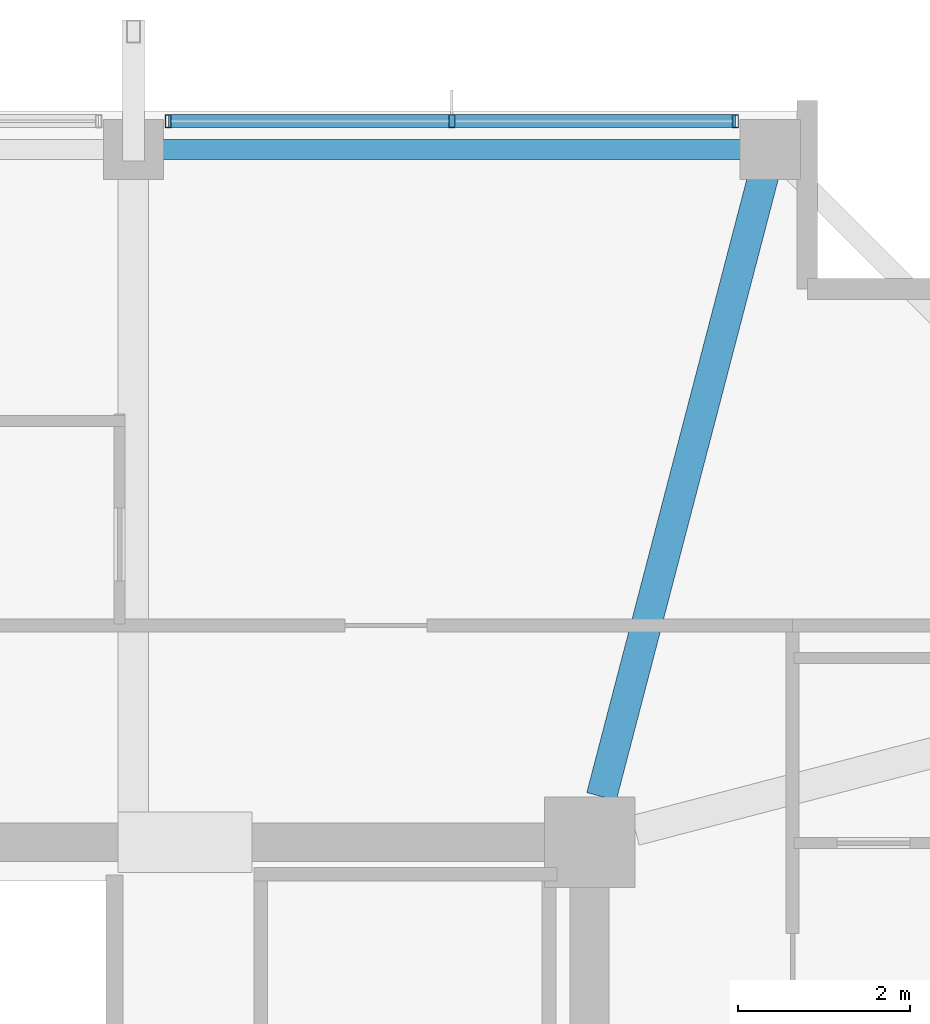
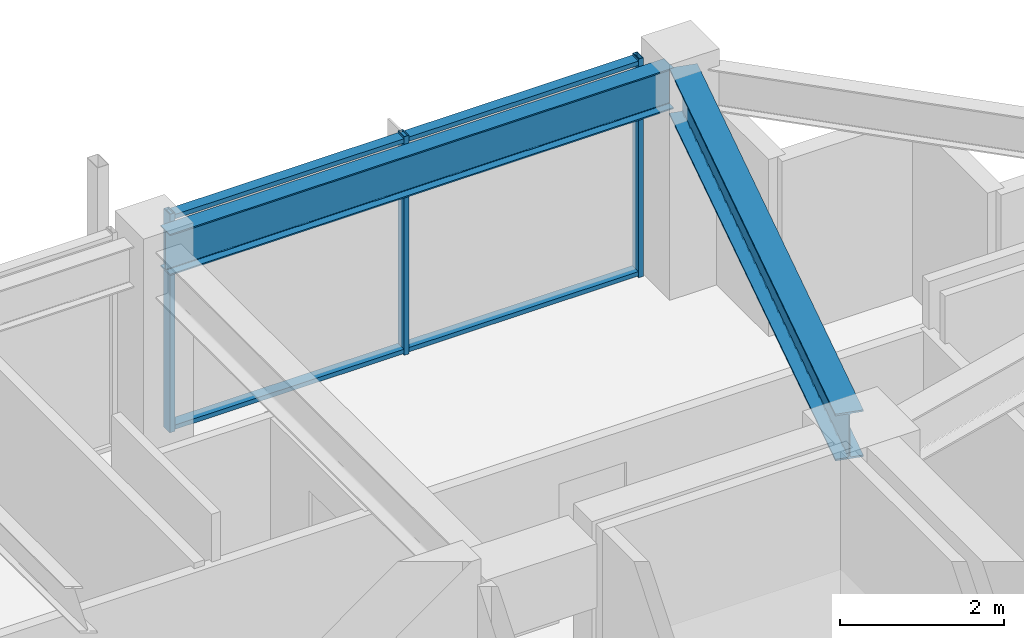
# One storey, part 17 of 29: 5 members, 2 beams, 1 element without a shape of its own.
"""IFC4 building model written with IfcOpenShell, lengths in metres."""

from ifc_helpers import new_model, si_unit, direction, frame, origin, origin_2d, place, context, subcontext, project, spatial, hollow_rectangle, i_section, extrude, material, material_profile, profile_set, type_object, element, aggregate, save


model = new_model("IFC4")

# Units and contexts
model_context = context("Model", 3, precision=1e-05, world=origin(), true_north=direction((0.0, 1.0)))
body_context = subcontext(model_context, "Body", "Model", "MODEL_VIEW")
ifc_project = project(units=[si_unit("LENGTHUNIT", "METRE"), si_unit("AREAUNIT", "SQUARE_METRE"), si_unit("VOLUMEUNIT", "CUBIC_METRE"), si_unit("PLANEANGLEUNIT", "RADIAN"), si_unit("MASSUNIT", "GRAM", prefix="KILO")], contexts=[model_context])

# Site, building, storey
site_placement = place(None, origin())
site = spatial("IfcSite", under=ifc_project, at=site_placement, CompositionType="ELEMENT")
building_placement = place(site_placement, origin())
building = spatial("IfcBuilding", under=site, at=building_placement, Name="Kolvaren Belvedere", CompositionType="ELEMENT")
storey_placement = place(building_placement, frame((0.0, 0.0, 244.39990234375)))
storey = spatial("IfcBuildingStorey", under=building, at=storey_placement, Name="L71", CompositionType="ELEMENT", Elevation=244.39990234375)

# Beams
ifc_material_1 = material(Name="Structural steel ASTM A992 Grade 50", Category="steel")
ifc_material_profile_1 = material_profile(ifc_material_1, i_section(OverallWidth=0.35498046875, OverallDepth=0.696044921875, WebThickness=0.015380859375, FlangeThickness=0.02490234375, FilletRadius=0.02197265625, at=origin_2d()), Name="W27X146")
ifc_profile_set_1 = profile_set([ifc_material_profile_1], Name="Structural steel ASTM A992 Grade 50")
beam_type_1 = type_object("IfcBeamType", Name="BM-GIRD-W27X146", PredefinedType="BEAM", material=ifc_profile_set_1)
beam_1_placement = place(storey_placement, frame((10.038818359375, 10.43212890625, 2.902099609375), z_axis=(0.25241668651, 0.967618631679, 0.0), x_axis=(-0.967618631679, 0.25241668651, 0.0)))
element("IfcBeam", 1, at=beam_1_placement, inside=storey, type_object=beam_type_1, Name="L71 Corner Core-to-Perimeter Girder CC3-N4", PredefinedType="BEAM", context=body_context, shape_type="SweptSolid", body=[
    extrude(i_section(OverallWidth=0.35498046875, OverallDepth=0.696044921875, WebThickness=0.015380859375, FlangeThickness=0.02490234375, FilletRadius=0.02197265625, at=origin_2d()), origin(), (0.0, 0.0, 1.0), 7.62939453125),
])
ifc_material_2 = material(Name="Structural steel ASTM A992 Grade 50", Category="steel")
ifc_material_profile_2 = material_profile(ifc_material_2, i_section(OverallWidth=0.22900390625, OverallDepth=0.612060546875, WebThickness=0.011962890625, FlangeThickness=0.01953125, FilletRadius=0.01806640625, at=origin_2d()), Name="W24X84")
ifc_profile_set_2 = profile_set([ifc_material_profile_2], Name="Structural steel ASTM A992 Grade 50")
beam_type_2 = type_object("IfcBeamType", Name="BM-SPAN-W24X84", PredefinedType="SPANDREL", material=ifc_profile_set_2)
beam_2_placement = place(storey_placement, frame((11.842529296875, 17.949951171875, 2.944091796875), z_axis=(-1.0, 0.0, 0.0), x_axis=(0.0, -1.0, 0.0)))
element("IfcBeam", 2, at=beam_2_placement, inside=storey, type_object=beam_type_2, Name="L71 Perimeter Spandrel N4-N3", PredefinedType="SPANDREL", context=body_context, shape_type="SweptSolid", body=[
    extrude(i_section(OverallWidth=0.22900390625, OverallDepth=0.612060546875, WebThickness=0.011962890625, FlangeThickness=0.01953125, FilletRadius=0.01806640625, at=origin_2d()), origin(), (0.0, 0.0, 1.0), 7.0849609375),
])

# Curtain wall, members
ifc_material_3 = material(Name="Anodised pale-metal aluminium AA 6063-T6", Category="aluminium")
curtain_wall_type = type_object("IfcCurtainWallType", Name="CW-Z5-HIGH", PredefinedType="NOTDEFINED", material=ifc_material_3)
curtain_wall_placement = place(storey_placement, origin())
curtain_wall = element("IfcCurtainWall", 3, at=curtain_wall_placement, inside=storey, type_object=curtain_wall_type, Name="L71 Unitised Curtain Wall FCW-L71-N-B3", PredefinedType="NOTDEFINED")
ifc_material_4 = material(Name="Anodised pale-metal aluminium AA 6063-T6", Category="aluminium")
ifc_material_profile_3 = material_profile(ifc_material_4, hollow_rectangle(XDim=0.070068359375, YDim=0.14990234375, WallThickness=0.004150390625, at=origin_2d()), Name="ALU-MUL-150X70")
ifc_profile_set_3 = profile_set([ifc_material_profile_3], Name="Anodised pale-metal aluminium AA 6063-T6")
member_type_1 = type_object("IfcMemberType", Name="CW-MUL-150", PredefinedType="MULLION", material=ifc_profile_set_3)
member_1_placement = place(storey_placement, frame((5.0048828125, 18.280029296875, 0.0), z_axis=(0.0, 0.0, 1.0), x_axis=(1.0, 0.0, 0.0)))
member_1 = element("IfcMember", 4, at=member_1_placement, type_object=member_type_1, Name="FCW-L71-N-B3 Unitised Mullion 1", PredefinedType="MULLION", context=body_context, shape_type="SweptSolid", body=[
    extrude(hollow_rectangle(XDim=0.070068359375, YDim=0.14990234375, WallThickness=0.004150390625, at=origin_2d()), origin(), (0.0, 0.0, 1.0), 3.25),
])
member_2_placement = place(storey_placement, frame((8.300048828125, 18.280029296875, 0.0), z_axis=(0.0, 0.0, 1.0), x_axis=(1.0, 0.0, 0.0)))
member_2 = element("IfcMember", 5, at=member_2_placement, type_object=member_type_1, Name="FCW-L71-N-B3 Unitised Mullion 2", PredefinedType="MULLION", context=body_context, shape_type="SweptSolid", body=[
    extrude(hollow_rectangle(XDim=0.070068359375, YDim=0.14990234375, WallThickness=0.004150390625, at=origin_2d()), origin(), (0.0, 0.0, 1.0), 3.25),
])
member_3_placement = place(storey_placement, frame((11.594970703125, 18.280029296875, 0.0), z_axis=(0.0, 0.0, 1.0), x_axis=(1.0, 0.0, 0.0)))
member_3 = element("IfcMember", 6, at=member_3_placement, type_object=member_type_1, Name="FCW-L71-N-B3 Unitised Mullion 3", PredefinedType="MULLION", context=body_context, shape_type="SweptSolid", body=[
    extrude(hollow_rectangle(XDim=0.070068359375, YDim=0.14990234375, WallThickness=0.004150390625, at=origin_2d()), origin(), (0.0, 0.0, 1.0), 3.25),
])
ifc_material_5 = material(Name="Anodised pale-metal aluminium AA 6063-T6", Category="aluminium")
ifc_material_profile_4 = material_profile(ifc_material_5, hollow_rectangle(XDim=0.06494140625, YDim=0.14990234375, WallThickness=0.00390625, at=origin_2d()), Name="ALU-TRN-150X65")
ifc_profile_set_4 = profile_set([ifc_material_profile_4], Name="Anodised pale-metal aluminium AA 6063-T6")
member_type_2 = type_object("IfcMemberType", Name="CW-TRN-150", PredefinedType="USERDEFINED", material=ifc_profile_set_4)
member_4_placement = place(storey_placement, frame((5.0048828125, 18.280029296875, 0.06005859375), z_axis=(1.0, 0.0, 0.0), x_axis=(0.0, 0.0, 1.0)))
member_4 = element("IfcMember", 7, at=member_4_placement, type_object=member_type_2, Name="FCW-L71-N-B3 Sill Transom", ObjectType="TRANSOM", PredefinedType="USERDEFINED", context=body_context, shape_type="SweptSolid", body=[
    extrude(hollow_rectangle(XDim=0.06494140625, YDim=0.14990234375, WallThickness=0.00390625, at=origin_2d()), origin(), (0.0, 0.0, 1.0), 6.590087890625),
])
member_5_placement = place(storey_placement, frame((5.0048828125, 18.280029296875, 3.190185546875), z_axis=(1.0, 0.0, 0.0), x_axis=(0.0, 0.0, 1.0)))
member_5 = element("IfcMember", 8, at=member_5_placement, type_object=member_type_2, Name="FCW-L71-N-B3 Head Transom", ObjectType="TRANSOM", PredefinedType="USERDEFINED", context=body_context, shape_type="SweptSolid", body=[
    extrude(hollow_rectangle(XDim=0.06494140625, YDim=0.14990234375, WallThickness=0.00390625, at=origin_2d()), origin(), (0.0, 0.0, 1.0), 6.590087890625),
])
aggregate(curtain_wall, [member_1, member_2, member_3, member_4, member_5])

save(model, "model.ifc")
